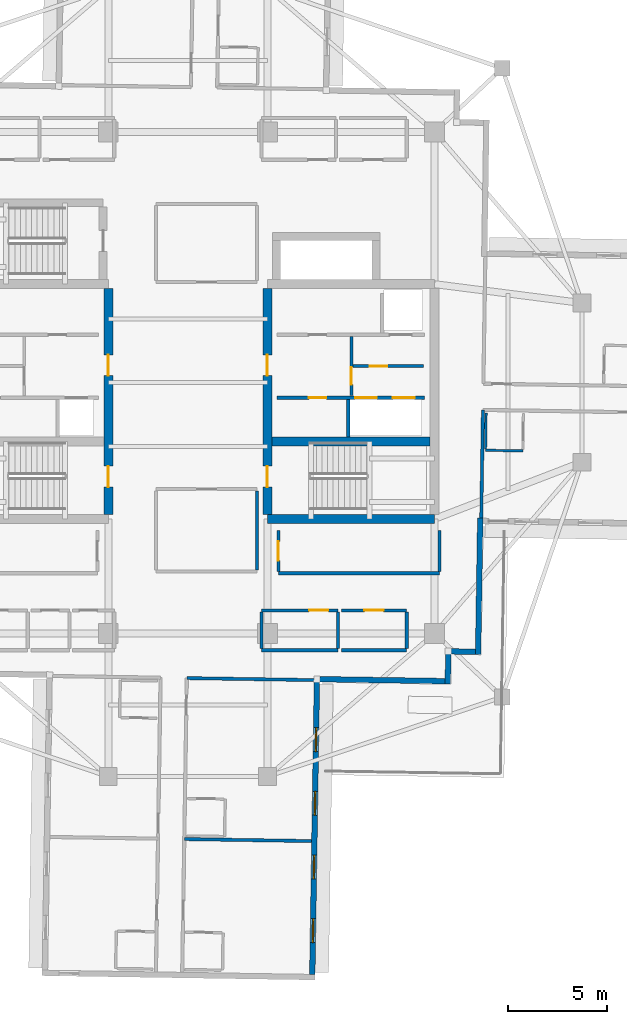
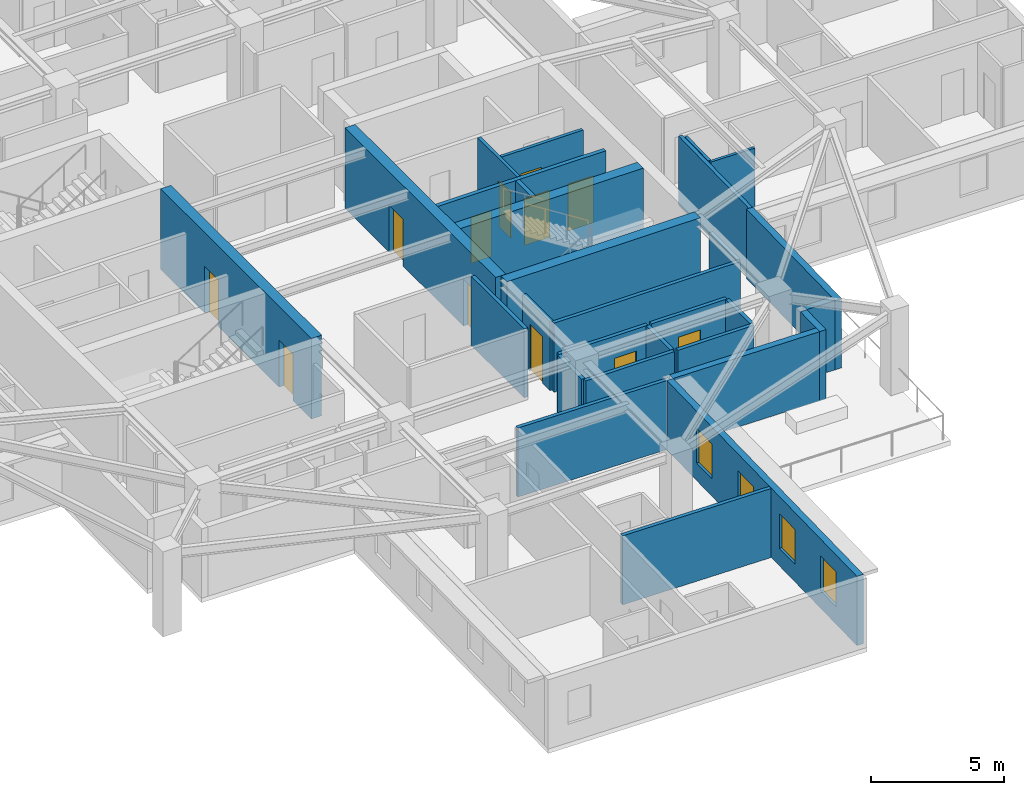
# One storey, part 5 of 13: 29 walls, 12 doors, 4 windows, 16 openings.
"""IFC4 building model written with IfcOpenShell, lengths in metres."""

import ifcopenshell
import ifcopenshell.guid

model = None  # the IFC model being written
_history = None  # IfcOwnerHistory: only IFC2X3 demands one
_inside = {}  # id of a spatial element -> (the spatial element, [elements in it])
_under = {}  # id of a project, library or spatial element -> (it, [spatial elements below it])
_declared = {}  # id of a project -> (the project, [libraries it declares])
_typed = {}  # id of a type object -> (the type object, [elements of that type])
_made_of = {}  # id of a material, layer set ... -> (it, [elements and type objects made of it])


def new_model(schema):
    """Start an empty IFC model of exactly this schema.

    Asked for "IFC4X3", IfcOpenShell would pick the latest addendum, in which some entities
    have other attributes; the version numbers below select the first issue.
    IFC2X3 requires an IfcOwnerHistory on every rooted entity: one is made here for all.
    """
    global model, _history
    if schema == "IFC4X3":
        model = ifcopenshell.file(schema_version=(4, 3, 0, 0))
    else:
        model = ifcopenshell.file(schema=schema)
    _inside.clear()
    _under.clear()
    _declared.clear()
    _typed.clear()
    _made_of.clear()
    _history = None
    if model.schema == "IFC2X3":
        org = make("IfcOrganization", Name="unknown")
        user = make(
            "IfcPersonAndOrganization",
            ThePerson=make("IfcPerson", FamilyName="unknown"),
            TheOrganization=org,
        )
        app = make(
            "IfcApplication",
            ApplicationDeveloper=org,
            Version="unknown",
            ApplicationFullName="unknown",
            ApplicationIdentifier="unknown",
        )
        _history = make(
            "IfcOwnerHistory",
            OwningUser=user,
            OwningApplication=app,
            ChangeAction="ADDED",
            CreationDate=0,
        )
    return model


def make(cls, **values):
    """One entity of the class cls with the attributes given. An attribute that is None is left unset."""
    return model.create_entity(
        cls, **{name: value for name, value in values.items() if value is not None}
    )


def rooted(cls, **values):
    """An entity with a GlobalId (a new one), such as an element, a storey or a relation."""
    return make(cls, GlobalId=ifcopenshell.guid.new(), OwnerHistory=_history, **values)


def si_unit(unit_type, name, prefix=None):
    """IfcSIUnit, for example si_unit("LENGTHUNIT", "METRE", prefix="MILLI")."""
    return make("IfcSIUnit", UnitType=unit_type, Prefix=prefix, Name=name)


def assignment(units):
    """IfcUnitAssignment: the units of a project."""
    return None if units is None else make("IfcUnitAssignment", Units=units)


def point(xyz):
    """IfcCartesianPoint."""
    return None if xyz is None else make("IfcCartesianPoint", Coordinates=xyz)


def direction(xyz):
    """IfcDirection."""
    return None if xyz is None else make("IfcDirection", DirectionRatios=xyz)


def frame(location, z_axis=None, x_axis=None):
    """IfcAxis2Placement3D, a coordinate frame: its origin and axes. An axis left out is left unset."""
    return make(
        "IfcAxis2Placement3D",
        Location=point(location),
        Axis=direction(z_axis),
        RefDirection=direction(x_axis),
    )


def frame_2d(location, x_axis=None):
    """IfcAxis2Placement2D, a coordinate frame in the plane: its origin and x axis."""
    return make(
        "IfcAxis2Placement2D", Location=point(location), RefDirection=direction(x_axis)
    )


def origin():
    """The frame at (0, 0, 0) with its axes left unset."""
    return frame((0.0, 0.0, 0.0))


def place(relative_to, where):
    """IfcLocalPlacement: puts the frame where relative to a parent placement (None: the world)."""
    return make(
        "IfcLocalPlacement", PlacementRelTo=relative_to, RelativePlacement=where
    )


def context(
    kind, dimensions, precision=None, world=None, true_north=None, identifier=None
):
    """IfcGeometricRepresentationContext, for example the 3D "Model" context."""
    return make(
        "IfcGeometricRepresentationContext",
        ContextIdentifier=identifier,
        ContextType=kind,
        CoordinateSpaceDimension=dimensions,
        Precision=precision,
        WorldCoordinateSystem=world,
        TrueNorth=true_north,
    )


def subcontext(parent, identifier, kind, view, scale=None):
    """IfcGeometricRepresentationSubContext, for example "Body" below "Model"."""
    return make(
        "IfcGeometricRepresentationSubContext",
        ContextIdentifier=identifier,
        ContextType=kind,
        ParentContext=parent,
        TargetScale=scale,
        TargetView=view,
    )


def project(units=None, contexts=None):
    """IfcProject with its units and contexts."""
    return rooted(
        "IfcProject",
        Name="project",
        RepresentationContexts=contexts,
        UnitsInContext=assignment(units),
    )


def spatial(cls, under=None, at=None, **own):
    """A site, building, storey or space (cls), placed at a placement, below another one or the project."""
    s = rooted(cls, ObjectPlacement=at, **own)
    if under is not None:
        _under.setdefault(under.id(), (under, []))[1].append(s)
    return s


def profile(cls, at=None, kind="AREA", **sizes):
    """A parametric profile (cls). Its sizes go by their IFC names, for example OverallWidth=200.0."""
    return make(cls, ProfileType=kind, Position=at, **sizes)


def rectangle(**sizes):
    """IfcRectangleProfileDef."""
    return profile("IfcRectangleProfileDef", **sizes)


def extrude(swept, where, along, depth):
    """IfcExtrudedAreaSolid: the profile swept, set in the frame where, extruded along a direction by depth."""
    return make(
        "IfcExtrudedAreaSolid",
        SweptArea=swept,
        Position=where,
        ExtrudedDirection=direction(along),
        Depth=depth,
    )


def shape(context_of_items, identifier, shape_type, items):
    """IfcShapeRepresentation: the items that make up one representation, for example the "Body"."""
    return make(
        "IfcShapeRepresentation",
        ContextOfItems=context_of_items,
        RepresentationIdentifier=identifier,
        RepresentationType=shape_type,
        Items=items,
    )


def material(Name=None, Category=None):
    """IfcMaterial."""
    return make("IfcMaterial", Name=Name, Category=Category)


def layer(
    of_material, thickness, ventilated=None, Name=None, Category=None, Priority=None
):
    """IfcMaterialLayer: one layer of a wall or slab, of a material (None: an air gap)."""
    return make(
        "IfcMaterialLayer",
        Material=of_material,
        LayerThickness=thickness,
        IsVentilated=ventilated,
        Name=Name,
        Category=Category,
        Priority=Priority,
    )


def layer_set(layers, Name=None):
    """IfcMaterialLayerSet."""
    return make("IfcMaterialLayerSet", MaterialLayers=layers, LayerSetName=Name)


def made_of(thing, what):
    """Note that an element or type object is made of a material, layer set ...; save() writes the relation."""
    if what is not None:
        _made_of.setdefault(what.id(), (what, []))[1].append(thing)
    return thing


def type_object(cls, material=None, **own):
    """A type object (cls), such as IfcWallType, which elements share."""
    return made_of(rooted(cls, **own), material)


def element(
    cls,
    number,
    at=None,
    inside=None,
    cuts=None,
    type_object=None,
    material=None,
    context=None,
    identifier="Body",
    shape_type=None,
    held_by="IfcProductDefinitionShape",
    body=None,
    shapes=None,
    **own,
):
    """One element of the class cls, such as IfcWall. Its Tag is "e" and its number.

    at: its placement. inside: the storey or other place that contains it. cuts: it is an
    opening in that element (IfcRelVoidsElement). A single representation is given by context,
    identifier, shape_type and body (its items); several are given by shapes. held_by: the class
    of the entity that holds the representations. save() writes the other relations.
    """
    e = rooted(cls, Tag="e%d" % number, ObjectPlacement=at, **own)
    if body is not None:
        shapes = [shape(context, identifier, shape_type, body)]
    if shapes is not None:
        e.Representation = make(held_by, Representations=shapes)
    if inside is not None:
        _inside.setdefault(inside.id(), (inside, []))[1].append(e)
    if cuts is not None:
        rooted(
            "IfcRelVoidsElement", RelatingBuildingElement=cuts, RelatedOpeningElement=e
        )
    if type_object is not None:
        _typed.setdefault(type_object.id(), (type_object, []))[1].append(e)
    return made_of(e, material)


def fill(opening, filler):
    """IfcRelFillsElement: the door or window that sits in an opening."""
    return rooted(
        "IfcRelFillsElement",
        RelatingOpeningElement=opening,
        RelatedBuildingElement=filler,
    )


def aggregate(whole, parts):
    """IfcRelAggregates: a whole, such as a stair, and the parts it consists of."""
    return rooted("IfcRelAggregates", RelatingObject=whole, RelatedObjects=parts)


def save(model, path):
    """Write the relations noted so far, then the file.

    IfcRelAggregates (storeys below a building ...), IfcRelContainedInSpatialStructure (elements
    in a storey), IfcRelDefinesByType, IfcRelAssociatesMaterial and IfcRelDeclares: one each for
    every whole, place, type object, material and project.
    """
    for whole, parts in _under.values():
        aggregate(whole, parts)
    for where, things in _inside.values():
        rooted(
            "IfcRelContainedInSpatialStructure",
            RelatedElements=things,
            RelatingStructure=where,
        )
    for kind, things in _typed.values():
        rooted("IfcRelDefinesByType", RelatedObjects=things, RelatingType=kind)
    for what, things in _made_of.values():
        rooted("IfcRelAssociatesMaterial", RelatedObjects=things, RelatingMaterial=what)
    for by, libraries in _declared.values():
        rooted("IfcRelDeclares", RelatingContext=by, RelatedDefinitions=libraries)
    model.write(path)


model = new_model("IFC4")

# Units and contexts
model_context = context("Model", 3, precision=1e-05, world=origin(), true_north=direction((0.0, 1.0)))
body_context = subcontext(model_context, "Body", "Model", "MODEL_VIEW")
ifc_project = project(units=[si_unit("LENGTHUNIT", "METRE"), si_unit("AREAUNIT", "SQUARE_METRE"), si_unit("VOLUMEUNIT", "CUBIC_METRE"), si_unit("PLANEANGLEUNIT", "RADIAN"), si_unit("MASSUNIT", "GRAM", prefix="KILO")], contexts=[model_context])

# Site, building, storey
site_placement = place(None, origin())
site = spatial("IfcSite", under=ifc_project, at=site_placement, CompositionType="ELEMENT")
building_placement = place(site_placement, origin())
building = spatial("IfcBuilding", under=site, at=building_placement, Name="Qingluan Cross Belvedere", CompositionType="ELEMENT")
storey_placement = place(building_placement, frame((0.0, 0.0, 228.60009765625)))
storey = spatial("IfcBuildingStorey", under=building, at=storey_placement, Name="L57", CompositionType="ELEMENT", Elevation=228.60009765625)

# Wall, openings, doors
ifc_material_1 = material(Name="Concrete C50", Category="concrete")
ifc_layer_1 = layer(ifc_material_1, 0.449951171875, Name="CoreShearWall_450")
ifc_layer_set_1 = layer_set([ifc_layer_1], Name="Concrete C50")
wall_type_1 = type_object("IfcWallType", Name="CoreShearWall_450", PredefinedType="SHEAR", material=ifc_layer_set_1)
wall_1_placement = place(storey_placement, frame((-4.0, -6.6201171875, 0.0), z_axis=(0.0, 0.0, 1.0), x_axis=(0.0, 1.0, 0.0)))
wall_1 = element("IfcWall", 1, at=wall_1_placement, inside=storey, type_object=wall_type_1, Name="Split core W shear wall L57-E", PredefinedType="SHEAR", context=body_context, shape_type="SweptSolid", body=[
    extrude(rectangle(XDim=11.340087890625, YDim=0.449951171875, at=frame_2d((5.669921875, 0.0))), origin(), (0.0, 0.0, 1.0), 3.699951171875),
])
opening_1_placement = place(wall_1_placement, frame((1.3701171875, 0.0, 0.0)))
opening_1 = element("IfcOpeningElement", 2, at=opening_1_placement, cuts=wall_1, Name="Opening FD-B11", PredefinedType="OPENING", context=body_context, shape_type="SweptSolid", body=[
    extrude(rectangle(XDim=1.050048828125, YDim=2.14990234375, at=frame_2d((0.52490234375, 1.074951171875))), frame((0.0, 0.23486328125, 0.0), z_axis=(0.0, -1.0, 0.0), x_axis=(1.0, 0.0, 0.0)), (0.0, 0.0, 1.0), 0.469970703125),
])
opening_2_placement = place(wall_1_placement, frame((6.969970703125, 0.0, 0.0)))
opening_2 = element("IfcOpeningElement", 3, at=opening_2_placement, cuts=wall_1, Name="Opening FD-B11", PredefinedType="OPENING", context=body_context, shape_type="SweptSolid", body=[
    extrude(rectangle(XDim=1.050048828125, YDim=2.14990234375, at=frame_2d((0.52490234375, 1.074951171875))), frame((0.0, 0.23486328125, 0.0), z_axis=(0.0, -1.0, 0.0), x_axis=(1.0, 0.0, 0.0)), (0.0, 0.0, 1.0), 0.469970703125),
])
ifc_material_2 = material(Name="Steel Class B smoke-seal fire door", Category="steel")
door_type_1 = type_object("IfcDoorType", Name="StairLobbyFireDoor_FDB", OperationType="NOTDEFINED", PredefinedType="DOOR", material=ifc_material_2)
door_1_placement = place(opening_1_placement, origin())
door_1 = element("IfcDoor", 4, at=door_1_placement, inside=storey, type_object=door_type_1, Name="Smoke-proof stair ST1 fire door L57", OperationType="SINGLE_SWING_LEFT", OverallHeight=2.14990234375, OverallWidth=1.050048828125, PredefinedType="DOOR", context=body_context, shape_type="SweptSolid", body=[
    extrude(rectangle(XDim=1.050048828125, YDim=2.14990234375, at=frame_2d((0.52490234375, 1.074951171875))), frame((0.0, 0.02490234375, 0.0), z_axis=(0.0, -1.0, 0.0), x_axis=(1.0, 0.0, 0.0)), (0.0, 0.0, 1.0), 0.050048828125),
])
fill(opening_1, door_1)
door_2_placement = place(opening_2_placement, origin())
door_2 = element("IfcDoor", 5, at=door_2_placement, inside=storey, type_object=door_type_1, Name="Firefighting lobby West fire door L57", OperationType="SINGLE_SWING_LEFT", OverallHeight=2.14990234375, OverallWidth=1.050048828125, PredefinedType="DOOR", context=body_context, shape_type="SweptSolid", body=[
    extrude(rectangle(XDim=1.050048828125, YDim=2.14990234375, at=frame_2d((0.52490234375, 1.074951171875))), frame((0.0, 0.02490234375, 0.0), z_axis=(0.0, -1.0, 0.0), x_axis=(1.0, 0.0, 0.0)), (0.0, 0.0, 1.0), 0.050048828125),
])
fill(opening_2, door_2)

# Wall
wall_2_placement = place(storey_placement, frame((4.0, -6.85009765625, 0.0), z_axis=(0.0, 0.0, 1.0), x_axis=(1.0, 0.0, 0.0)))
element("IfcWall", 6, at=wall_2_placement, inside=storey, type_object=wall_type_1, Name="Split core E shear wall L57-S", PredefinedType="SHEAR", context=body_context, shape_type="SweptSolid", body=[
    extrude(rectangle(XDim=8.39990234375, YDim=0.449951171875, at=frame_2d((4.199951171875, 0.0))), origin(), (0.0, 0.0, 1.0), 3.699951171875),
])

# Wall, openings, doors
wall_3_placement = place(storey_placement, frame((4.0, -6.6201171875, 0.0), z_axis=(0.0, 0.0, 1.0), x_axis=(0.0, 1.0, 0.0)))
wall_3 = element("IfcWall", 7, at=wall_3_placement, inside=storey, type_object=wall_type_1, Name="Split core E shear wall L57-W", PredefinedType="SHEAR", context=body_context, shape_type="SweptSolid", body=[
    extrude(rectangle(XDim=11.340087890625, YDim=0.449951171875, at=frame_2d((5.669921875, 0.0))), origin(), (0.0, 0.0, 1.0), 3.699951171875),
])
opening_3_placement = place(wall_3_placement, frame((1.3701171875, 0.0, 0.0)))
opening_3 = element("IfcOpeningElement", 8, at=opening_3_placement, cuts=wall_3, Name="Opening FD-B11", PredefinedType="OPENING", context=body_context, shape_type="SweptSolid", body=[
    extrude(rectangle(XDim=1.050048828125, YDim=2.14990234375, at=frame_2d((0.52490234375, 1.074951171875))), frame((0.0, 0.23486328125, 0.0), z_axis=(0.0, -1.0, 0.0), x_axis=(1.0, 0.0, 0.0)), (0.0, 0.0, 1.0), 0.469970703125),
])
opening_4_placement = place(wall_3_placement, frame((6.969970703125, 0.0, 0.0)))
opening_4 = element("IfcOpeningElement", 9, at=opening_4_placement, cuts=wall_3, Name="Opening FD-B11", PredefinedType="OPENING", context=body_context, shape_type="SweptSolid", body=[
    extrude(rectangle(XDim=1.050048828125, YDim=2.14990234375, at=frame_2d((0.52490234375, 1.074951171875))), frame((0.0, 0.23486328125, 0.0), z_axis=(0.0, -1.0, 0.0), x_axis=(1.0, 0.0, 0.0)), (0.0, 0.0, 1.0), 0.469970703125),
])
door_3_placement = place(opening_3_placement, origin())
door_3 = element("IfcDoor", 10, at=door_3_placement, inside=storey, type_object=door_type_1, Name="Smoke-proof stair ST2 fire door L57", OperationType="SINGLE_SWING_RIGHT", OverallHeight=2.14990234375, OverallWidth=1.050048828125, PredefinedType="DOOR", context=body_context, shape_type="SweptSolid", body=[
    extrude(rectangle(XDim=1.050048828125, YDim=2.14990234375, at=frame_2d((0.52490234375, 1.074951171875))), frame((0.0, 0.02490234375, 0.0), z_axis=(0.0, -1.0, 0.0), x_axis=(1.0, 0.0, 0.0)), (0.0, 0.0, 1.0), 0.050048828125),
])
fill(opening_3, door_3)
door_4_placement = place(opening_4_placement, origin())
door_4 = element("IfcDoor", 11, at=door_4_placement, inside=storey, type_object=door_type_1, Name="Firefighting lobby East fire door L57", OperationType="SINGLE_SWING_RIGHT", OverallHeight=2.14990234375, OverallWidth=1.050048828125, PredefinedType="DOOR", context=body_context, shape_type="SweptSolid", body=[
    extrude(rectangle(XDim=1.050048828125, YDim=2.14990234375, at=frame_2d((0.52490234375, 1.074951171875))), frame((0.0, 0.02490234375, 0.0), z_axis=(0.0, -1.0, 0.0), x_axis=(1.0, 0.0, 0.0)), (0.0, 0.0, 1.0), 0.050048828125),
])
fill(opening_4, door_4)

# Wall
wall_4_placement = place(storey_placement, frame((4.22998046875, -2.9599609375, 0.0), z_axis=(0.0, 0.0, 1.0), x_axis=(1.0, 0.0, 0.0)))
element("IfcWall", 12, at=wall_4_placement, inside=storey, type_object=wall_type_1, Name="Split core E shear wall L57-M", PredefinedType="SHEAR", context=body_context, shape_type="SweptSolid", body=[
    extrude(rectangle(XDim=7.93994140625, YDim=0.449951171875, at=frame_2d((3.969970703125, 0.0))), origin(), (0.0, 0.0, 1.0), 3.699951171875),
])

# Wall, opening, door
ifc_material_3 = material(Name="Gypsum plasterboard on steel stud acoustic partition", Category="steel")
ifc_layer_2 = layer(ifc_material_3, 0.159912109375, Name="CorridorPartition_160")
ifc_layer_set_2 = layer_set([ifc_layer_2], Name="Gypsum plasterboard on steel stud acoustic partition")
wall_type_2 = type_object("IfcWallType", Name="CorridorPartition_160", PredefinedType="PARTITIONING", material=ifc_layer_set_2)
wall_5_placement = place(storey_placement, frame((8.298095703125, 0.830078125, 0.0), z_axis=(0.0, 0.0, 1.0), x_axis=(1.0, 0.0, 0.0)))
wall_5 = element("IfcWall", 13, at=wall_5_placement, inside=storey, type_object=wall_type_2, Name="Partition L57:e", PredefinedType="PARTITIONING", context=body_context, shape_type="SweptSolid", body=[
    extrude(rectangle(XDim=3.552001953125, YDim=0.139892578125, at=frame_2d((1.77587890625, 0.0))), origin(), (0.0, 0.0, 1.0), 3.169921875),
])
opening_5_placement = place(wall_5_placement, frame((0.85009765625, 0.0, 0.0)))
opening_5 = element("IfcOpeningElement", 14, at=opening_5_placement, cuts=wall_5, Name="Opening FD-B10", PredefinedType="OPENING", context=body_context, shape_type="SweptSolid", body=[
    extrude(rectangle(XDim=0.8798828125, YDim=2.10009765625, at=frame_2d((0.43994140625, 1.050048828125))), frame((0.0, 0.079833984375, 0.0), z_axis=(0.0, -1.0, 0.0), x_axis=(1.0, 0.0, 0.0)), (0.0, 0.0, 1.0), 0.159912109375),
])
ifc_material_4 = material(Name="Steel Class B service fire door", Category="steel")
door_type_2 = type_object("IfcDoorType", Name="RiserServiceFireDoor_FDB", OperationType="NOTDEFINED", PredefinedType="DOOR", material=ifc_material_4)
door_5_placement = place(opening_5_placement, origin())
door_5 = element("IfcDoor", 15, at=door_5_placement, inside=storey, type_object=door_type_2, Name="Service closet inner door L57", OperationType="SINGLE_SWING_LEFT", OverallHeight=2.10009765625, OverallWidth=0.8798828125, PredefinedType="DOOR", context=body_context, shape_type="SweptSolid", body=[
    extrude(rectangle(XDim=0.8798828125, YDim=2.10009765625, at=frame_2d((0.43994140625, 1.050048828125))), frame((0.0, 0.02490234375, 0.0), z_axis=(0.0, -1.0, 0.0), x_axis=(1.0, 0.0, 0.0)), (0.0, 0.0, 1.0), 0.050048828125),
])
fill(opening_5, door_5)

# Wall
wall_6_placement = place(storey_placement, frame((3.699951171875, -13.449951171875, 0.0), z_axis=(0.0, 0.0, 1.0), x_axis=(1.0, 0.0, 0.0)))
element("IfcWall", 16, at=wall_6_placement, inside=storey, type_object=wall_type_2, Name="Partition L57:q_se1:S", PredefinedType="PARTITIONING", context=body_context, shape_type="SweptSolid", body=[
    extrude(rectangle(XDim=3.85009765625, YDim=0.159912109375, at=frame_2d((1.925048828125, 0.0))), origin(), (0.0, 0.0, 1.0), 3.169921875),
])

# Wall, opening, door
wall_7_placement = place(storey_placement, frame((3.699951171875, -11.449951171875, 0.0), z_axis=(0.0, 0.0, 1.0), x_axis=(1.0, 0.0, 0.0)))
wall_7 = element("IfcWall", 17, at=wall_7_placement, inside=storey, type_object=wall_type_2, Name="Partition L57:q_se1:N", PredefinedType="PARTITIONING", context=body_context, shape_type="SweptSolid", body=[
    extrude(rectangle(XDim=3.85009765625, YDim=0.159912109375, at=frame_2d((1.925048828125, 0.0))), origin(), (0.0, 0.0, 1.0), 3.169921875),
])
opening_6_placement = place(wall_7_placement, frame((2.39501953125, 0.0, 0.0)))
opening_6 = element("IfcOpeningElement", 18, at=opening_6_placement, cuts=wall_7, Name="Opening GD-10", PredefinedType="OPENING", context=body_context, shape_type="SweptSolid", body=[
    extrude(rectangle(XDim=0.9599609375, YDim=2.14990234375, at=frame_2d((0.47998046875, 1.074951171875))), frame((0.0, 0.08984375, 0.0), z_axis=(0.0, -1.0, 0.0), x_axis=(1.0, 0.0, 0.0)), (0.0, 0.0, 1.0), 0.179931640625),
])
ifc_material_5 = material(Name="Timber oak fire-rated acoustic guestroom door", Category="wood")
door_type_3 = type_object("IfcDoorType", Name="GuestEntryDoor_FD60", OperationType="NOTDEFINED", PredefinedType="DOOR", material=ifc_material_5)
door_6_placement = place(opening_6_placement, origin())
door_6 = element("IfcDoor", 19, at=door_6_placement, inside=storey, type_object=door_type_3, Name="Botanical infusion pantry L57 door", OperationType="SINGLE_SWING_RIGHT", OverallHeight=2.14990234375, OverallWidth=0.9599609375, PredefinedType="DOOR", context=body_context, shape_type="SweptSolid", body=[
    extrude(rectangle(XDim=0.9599609375, YDim=2.14990234375, at=frame_2d((0.47998046875, 1.074951171875))), frame((0.0, 0.02490234375, 0.0), z_axis=(0.0, -1.0, 0.0), x_axis=(1.0, 0.0, 0.0)), (0.0, 0.0, 1.0), 0.050048828125),
])
fill(opening_6, door_6)

# Walls
for number, where, z_axis, x_axis, name in (
    (20, (3.699951171875, -13.364990234375, 0.0), (0.0, 0.0, 1.0), (0.0, 1.0, 0.0), "Partition L57:q_se1:W"),
    (21, (7.550048828125, -13.364990234375, 0.0), (0.0, 0.0, 1.0), (0.0, 1.0, 0.0), "Partition L57:q_se1:E"),
):
    element("IfcWall", number, at=place(storey_placement, frame(where, z_axis=z_axis, x_axis=x_axis)), inside=storey, type_object=wall_type_2, Name=name, PredefinedType="PARTITIONING", context=body_context, shape_type="SweptSolid", body=[
        extrude(rectangle(XDim=1.830078125, YDim=0.159912109375, at=frame_2d((0.9150390625, 0.0))), origin(), (0.0, 0.0, 1.0), 3.169921875),
    ])
wall_8_placement = place(storey_placement, frame((7.7099609375, -13.449951171875, 0.0), z_axis=(0.0, 0.0, 1.0), x_axis=(1.0, 0.0, 0.0)))
element("IfcWall", 22, at=wall_8_placement, inside=storey, type_object=wall_type_2, Name="Partition L57:q_se2:S", PredefinedType="PARTITIONING", context=body_context, shape_type="SweptSolid", body=[
    extrude(rectangle(XDim=3.2900390625, YDim=0.159912109375, at=frame_2d((1.64501953125, 0.0))), origin(), (0.0, 0.0, 1.0), 3.169921875),
])

# Wall, opening, door
wall_9_placement = place(storey_placement, frame((7.7099609375, -11.449951171875, 0.0), z_axis=(0.0, 0.0, 1.0), x_axis=(1.0, 0.0, 0.0)))
wall_9 = element("IfcWall", 23, at=wall_9_placement, inside=storey, type_object=wall_type_2, Name="Partition L57:q_se2:N", PredefinedType="PARTITIONING", context=body_context, shape_type="SweptSolid", body=[
    extrude(rectangle(XDim=3.2900390625, YDim=0.159912109375, at=frame_2d((1.64501953125, 0.0))), origin(), (0.0, 0.0, 1.0), 3.169921875),
])
opening_7_placement = place(wall_9_placement, frame((1.1650390625, 0.0, 0.0)))
opening_7 = element("IfcOpeningElement", 24, at=opening_7_placement, cuts=wall_9, Name="Opening GD-10", PredefinedType="OPENING", context=body_context, shape_type="SweptSolid", body=[
    extrude(rectangle(XDim=0.9599609375, YDim=2.14990234375, at=frame_2d((0.47998046875, 1.074951171875))), frame((0.0, 0.08984375, 0.0), z_axis=(0.0, -1.0, 0.0), x_axis=(1.0, 0.0, 0.0)), (0.0, 0.0, 1.0), 0.179931640625),
])
door_7_placement = place(opening_7_placement, origin())
door_7 = element("IfcDoor", 25, at=door_7_placement, inside=storey, type_object=door_type_3, Name="Southeast study room L57 door", OperationType="SINGLE_SWING_LEFT", OverallHeight=2.14990234375, OverallWidth=0.9599609375, PredefinedType="DOOR", context=body_context, shape_type="SweptSolid", body=[
    extrude(rectangle(XDim=0.9599609375, YDim=2.14990234375, at=frame_2d((0.47998046875, 1.074951171875))), frame((0.0, 0.02490234375, 0.0), z_axis=(0.0, -1.0, 0.0), x_axis=(1.0, 0.0, 0.0)), (0.0, 0.0, 1.0), 0.050048828125),
])
fill(opening_7, door_7)

# Walls
wall_10_placement = place(storey_placement, frame((11.0, -13.364990234375, 0.0), z_axis=(0.0, 0.0, 1.0), x_axis=(0.0, 1.0, 0.0)))
element("IfcWall", 26, at=wall_10_placement, inside=storey, type_object=wall_type_2, Name="Partition L57:q_se2:E", PredefinedType="PARTITIONING", context=body_context, shape_type="SweptSolid", body=[
    extrude(rectangle(XDim=1.830078125, YDim=0.159912109375, at=frame_2d((0.9150390625, 0.0))), origin(), (0.0, 0.0, 1.0), 3.169921875),
])
wall_11_placement = place(storey_placement, frame((3.47998046875, -9.4150390625, 0.0), z_axis=(0.0, 0.0, 1.0), x_axis=(0.0, 1.0, 0.0)))
element("IfcWall", 27, at=wall_11_placement, inside=storey, type_object=wall_type_2, Name="Partition L57:sky_south_alcove:E", PredefinedType="PARTITIONING", context=body_context, shape_type="SweptSolid", body=[
    extrude(rectangle(XDim=3.97998046875, YDim=0.159912109375, at=frame_2d((1.989990234375, 0.0))), origin(), (0.0, 0.0, 1.0), 3.169921875),
])
wall_12_placement = place(storey_placement, frame((4.550048828125, -9.580078125, 0.0), z_axis=(0.0, 0.0, 1.0), x_axis=(1.0, 0.0, 0.0)))
element("IfcWall", 28, at=wall_12_placement, inside=storey, type_object=wall_type_2, Name="Partition L57:rec_st4:S", PredefinedType="PARTITIONING", context=body_context, shape_type="SweptSolid", body=[
    extrude(rectangle(XDim=8.099853515625, YDim=0.159912109375, at=frame_2d((4.0498046875, 0.0))), origin(), (0.0, 0.0, 1.0), 3.169921875),
])

# Wall, opening, door
wall_13_placement = place(storey_placement, frame((4.550048828125, -9.4951171875, 0.0), z_axis=(0.0, 0.0, 1.0), x_axis=(0.0, 1.0, 0.0)))
wall_13 = element("IfcWall", 29, at=wall_13_placement, inside=storey, type_object=wall_type_2, Name="Partition L57:rec_st4:W", PredefinedType="PARTITIONING", context=body_context, shape_type="SweptSolid", body=[
    extrude(rectangle(XDim=2.06005859375, YDim=0.159912109375, at=frame_2d((1.030029296875, 0.0))), origin(), (0.0, 0.0, 1.0), 3.169921875),
])
opening_8_placement = place(wall_13_placement, frame((0.550048828125, 0.0, 0.0)))
opening_8 = element("IfcOpeningElement", 30, at=opening_8_placement, cuts=wall_13, Name="Opening GD-10", PredefinedType="OPENING", context=body_context, shape_type="SweptSolid", body=[
    extrude(rectangle(XDim=0.9599609375, YDim=2.14990234375, at=frame_2d((0.47998046875, 1.074951171875))), frame((0.0, 0.08984375, 0.0), z_axis=(0.0, -1.0, 0.0), x_axis=(1.0, 0.0, 0.0)), (0.0, 0.0, 1.0), 0.179931640625),
])
door_8_placement = place(opening_8_placement, origin())
door_8 = element("IfcDoor", 31, at=door_8_placement, inside=storey, type_object=door_type_3, Name="Southeast club library room L57 door", OperationType="SINGLE_SWING_LEFT", OverallHeight=2.14990234375, OverallWidth=0.9599609375, PredefinedType="DOOR", context=body_context, shape_type="SweptSolid", body=[
    extrude(rectangle(XDim=0.9599609375, YDim=2.14990234375, at=frame_2d((0.47998046875, 1.074951171875))), frame((0.0, 0.02490234375, 0.0), z_axis=(0.0, -1.0, 0.0), x_axis=(1.0, 0.0, 0.0)), (0.0, 0.0, 1.0), 0.050048828125),
])
fill(opening_8, door_8)

# Walls
wall_14_placement = place(storey_placement, frame((12.64990234375, -9.4951171875, 0.0), z_axis=(0.0, 0.0, 1.0), x_axis=(0.0, 1.0, 0.0)))
element("IfcWall", 32, at=wall_14_placement, inside=storey, type_object=wall_type_2, Name="Partition L57:rec_st4:E", PredefinedType="PARTITIONING", context=body_context, shape_type="SweptSolid", body=[
    extrude(rectangle(XDim=2.06005859375, YDim=0.159912109375, at=frame_2d((1.030029296875, 0.0))), origin(), (0.0, 0.0, 1.0), 3.169921875),
])
wall_15_placement = place(storey_placement, frame((14.830322265625, -1.373046875, 0.0), z_axis=(0.0, 0.0, 1.0), x_axis=(-0.015730511698, -0.999876267846, 0.0)))
element("IfcWall", 33, at=wall_15_placement, inside=storey, type_object=wall_type_2, Name="Partition L57:E:s1", PredefinedType="PARTITIONING", context=body_context, shape_type="SweptSolid", body=[
    extrude(rectangle(XDim=5.43212890625, YDim=0.159912109375, at=frame_2d((2.716064453125, 0.0))), origin(), (0.0, 0.0, 1.0), 3.169921875),
])
wall_16_placement = place(storey_placement, frame((-0.05322265625, -14.85107421875, 0.0), z_axis=(0.0, 0.0, 1.0), x_axis=(0.999877075733, -0.015679076008, 0.0)))
element("IfcWall", 34, at=wall_16_placement, inside=storey, type_object=wall_type_2, Name="Partition L57:S:s0", PredefinedType="PARTITIONING", context=body_context, shape_type="SweptSolid", body=[
    extrude(rectangle(XDim=6.539794921875, YDim=0.159912109375, at=frame_2d((3.27001953125, 0.0))), origin(), (0.0, 0.0, 1.0), 3.169921875),
])
wall_17_placement = place(storey_placement, frame((-0.180419921875, -22.94189453125, 0.0), z_axis=(0.0, 0.0, 1.0), x_axis=(0.999876174287, -0.015736457476, 0.0)))
element("IfcWall", 35, at=wall_17_placement, inside=storey, type_object=wall_type_2, Name="Partition L57:S:d0_0", PredefinedType="PARTITIONING", context=body_context, shape_type="SweptSolid", body=[
    extrude(rectangle(XDim=6.391845703125, YDim=0.159912109375, at=frame_2d((3.19580078125, 0.0))), origin(), (0.0, 0.0, 1.0), 3.169921875),
])
ifc_material_6 = material(Name="Moisture-resistant gypsum board lining")
ifc_layer_3 = layer(ifc_material_6, 0.1201171875, Name="EnsuiteWetPartition_120")
ifc_layer_set_3 = layer_set([ifc_layer_3], Name="Moisture-resistant gypsum board lining")
wall_type_3 = type_object("IfcWallType", Name="EnsuiteWetPartition_120", PredefinedType="PARTITIONING", material=ifc_layer_set_3)
wall_18_placement = place(storey_placement, frame((14.95947265625, -3.33544921875, 0.0), z_axis=(0.0, 0.0, 1.0), x_axis=(0.015694337248, 0.999876836305, 0.0)))
element("IfcWall", 36, at=wall_18_placement, inside=storey, type_object=wall_type_3, Name="Partition L57:E:bw1_0", PredefinedType="PARTITIONING", context=body_context, shape_type="SweptSolid", body=[
    extrude(rectangle(XDim=1.820068359375, YDim=0.1201171875, at=frame_2d((0.91015625, 0.0))), origin(), (0.0, 0.0, 1.0), 3.169921875),
])
wall_19_placement = place(storey_placement, frame((14.95849609375, -3.400390625, 0.0), z_axis=(0.0, 0.0, 1.0), x_axis=(0.99987652141, -0.015714386166, 0.0)))
element("IfcWall", 37, at=wall_19_placement, inside=storey, type_object=wall_type_3, Name="Partition L57:E:bc1_0", PredefinedType="PARTITIONING", context=body_context, shape_type="SweptSolid", body=[
    extrude(rectangle(XDim=1.8798828125, YDim=0.1201171875, at=frame_2d((0.93994140625, 0.0))), origin(), (0.0, 0.0, 1.0), 3.169921875),
])

# Wall, openings, windows
ifc_material_7 = material(Name="Precast concrete C45", Category="concrete")
ifc_layer_4 = layer(ifc_material_7, 0.280029296875, Name="PrecastFacadeWall_280")
ifc_layer_set_4 = layer_set([ifc_layer_4], Name="Precast concrete C45")
wall_type_4 = type_object("IfcWallType", Name="PrecastFacadeWall_280", PredefinedType="STANDARD", material=ifc_layer_set_4)
wall_20_placement = place(storey_placement, frame((6.253662109375, -29.741943359375, 0.0), z_axis=(0.0, 0.0, 1.0), x_axis=(0.015711302158, 0.999876569875, 0.0)))
wall_20 = element("IfcWall", 38, at=wall_20_placement, inside=storey, type_object=wall_type_4, Name="Facade wall L57-SB", PredefinedType="STANDARD", context=body_context, shape_type="SweptSolid", body=[
    extrude(rectangle(XDim=14.699951171875, YDim=0.280029296875, at=frame_2d((7.35009765625, 0.0))), origin(), (0.0, 0.0, 1.0), 3.179931640625),
])
opening_9_placement = place(wall_20_placement, frame((1.60009765625, 0.0, 0.800048828125)))
opening_9 = element("IfcOpeningElement", 39, at=opening_9_placement, cuts=wall_20, Name="Opening W-02", PredefinedType="OPENING", context=body_context, shape_type="SweptSolid", body=[
    extrude(rectangle(XDim=1.199951171875, YDim=1.60009765625, at=frame_2d((0.60009765625, 0.800048828125))), frame((0.0, 0.14990234375, 0.0), z_axis=(0.0, -1.0, 0.0), x_axis=(1.0, 0.0, 0.0)), (0.0, 0.0, 1.0), 0.300048828125),
])
opening_10_placement = place(wall_20_placement, frame((4.800048828125, 0.0, 0.800048828125)))
opening_10 = element("IfcOpeningElement", 40, at=opening_10_placement, cuts=wall_20, Name="Opening W-02", PredefinedType="OPENING", context=body_context, shape_type="SweptSolid", body=[
    extrude(rectangle(XDim=1.199951171875, YDim=1.60009765625, at=frame_2d((0.60009765625, 0.800048828125))), frame((0.0, 0.14990234375, 0.0), z_axis=(0.0, -1.0, 0.0), x_axis=(1.0, 0.0, 0.0)), (0.0, 0.0, 1.0), 0.300048828125),
])
opening_11_placement = place(wall_20_placement, frame((8.0, 0.0, 0.800048828125)))
opening_11 = element("IfcOpeningElement", 41, at=opening_11_placement, cuts=wall_20, Name="Opening W-02", PredefinedType="OPENING", context=body_context, shape_type="SweptSolid", body=[
    extrude(rectangle(XDim=1.199951171875, YDim=1.60009765625, at=frame_2d((0.60009765625, 0.800048828125))), frame((0.0, 0.14990234375, 0.0), z_axis=(0.0, -1.0, 0.0), x_axis=(1.0, 0.0, 0.0)), (0.0, 0.0, 1.0), 0.300048828125),
])
opening_12_placement = place(wall_20_placement, frame((11.199951171875, 0.0, 0.800048828125)))
opening_12 = element("IfcOpeningElement", 42, at=opening_12_placement, cuts=wall_20, Name="Opening W-02", PredefinedType="OPENING", context=body_context, shape_type="SweptSolid", body=[
    extrude(rectangle(XDim=1.199951171875, YDim=1.60009765625, at=frame_2d((0.60009765625, 0.800048828125))), frame((0.0, 0.14990234375, 0.0), z_axis=(0.0, -1.0, 0.0), x_axis=(1.0, 0.0, 0.0)), (0.0, 0.0, 1.0), 0.300048828125),
])
ifc_material_8 = material(Name="Thermally broken triple Low-E glass in aluminium frame", Category="aluminium")
window_type = type_object("IfcWindowType", Name="TriRibbonWin_1200x1600", PartitioningType="SINGLE_PANEL", PredefinedType="WINDOW", material=ifc_material_8)
window_1_placement = place(opening_9_placement, origin())
window_1 = element("IfcWindow", 43, at=window_1_placement, inside=storey, type_object=window_type, Name="Ribbon window L57-SB-1", OverallHeight=1.60009765625, OverallWidth=1.199951171875, PartitioningType="SINGLE_PANEL", PredefinedType="WINDOW", context=body_context, shape_type="SweptSolid", body=[
    extrude(rectangle(XDim=1.199951171875, YDim=1.60009765625, at=frame_2d((0.60009765625, 0.800048828125))), frame((0.0, 0.030029296875, 0.0), z_axis=(0.0, -1.0, 0.0), x_axis=(1.0, 0.0, 0.0)), (0.0, 0.0, 1.0), 0.06005859375),
])
fill(opening_9, window_1)
window_2_placement = place(opening_10_placement, origin())
window_2 = element("IfcWindow", 44, at=window_2_placement, inside=storey, type_object=window_type, Name="Ribbon window L57-SB-2", OverallHeight=1.60009765625, OverallWidth=1.199951171875, PartitioningType="SINGLE_PANEL", PredefinedType="WINDOW", context=body_context, shape_type="SweptSolid", body=[
    extrude(rectangle(XDim=1.199951171875, YDim=1.60009765625, at=frame_2d((0.60009765625, 0.800048828125))), frame((0.0, 0.030029296875, 0.0), z_axis=(0.0, -1.0, 0.0), x_axis=(1.0, 0.0, 0.0)), (0.0, 0.0, 1.0), 0.06005859375),
])
fill(opening_10, window_2)
window_3_placement = place(opening_11_placement, origin())
window_3 = element("IfcWindow", 45, at=window_3_placement, inside=storey, type_object=window_type, Name="Ribbon window L57-SB-3", OverallHeight=1.60009765625, OverallWidth=1.199951171875, PartitioningType="SINGLE_PANEL", PredefinedType="WINDOW", context=body_context, shape_type="SweptSolid", body=[
    extrude(rectangle(XDim=1.199951171875, YDim=1.60009765625, at=frame_2d((0.60009765625, 0.800048828125))), frame((0.0, 0.030029296875, 0.0), z_axis=(0.0, -1.0, 0.0), x_axis=(1.0, 0.0, 0.0)), (0.0, 0.0, 1.0), 0.06005859375),
])
fill(opening_11, window_3)
window_4_placement = place(opening_12_placement, origin())
window_4 = element("IfcWindow", 46, at=window_4_placement, inside=storey, type_object=window_type, Name="Ribbon window L57-SB-4", OverallHeight=1.60009765625, OverallWidth=1.199951171875, PartitioningType="SINGLE_PANEL", PredefinedType="WINDOW", context=body_context, shape_type="SweptSolid", body=[
    extrude(rectangle(XDim=1.199951171875, YDim=1.60009765625, at=frame_2d((0.60009765625, 0.800048828125))), frame((0.0, 0.030029296875, 0.0), z_axis=(0.0, -1.0, 0.0), x_axis=(1.0, 0.0, 0.0)), (0.0, 0.0, 1.0), 0.06005859375),
])
fill(opening_12, window_4)

# Walls
wall_21_placement = place(storey_placement, frame((14.69482421875, -6.811767578125, 0.0), z_axis=(0.0, 0.0, 1.0), x_axis=(-0.015694809807, -0.999876828887, 0.0)))
element("IfcWall", 47, at=wall_21_placement, inside=storey, type_object=wall_type_4, Name="Corner wall L57-SE1", PredefinedType="STANDARD", context=body_context, shape_type="SweptSolid", body=[
    extrude(rectangle(XDim=6.85986328125, YDim=0.280029296875, at=frame_2d((3.429931640625, 0.0))), origin(), (0.0, 0.0, 1.0), 3.179931640625),
])
wall_22_placement = place(storey_placement, frame((14.44921875, -13.528564453125, 0.0), z_axis=(0.0, 0.0, 1.0), x_axis=(-0.999878147354, 0.015610587569, 0.0)))
element("IfcWall", 48, at=wall_22_placement, inside=storey, type_object=wall_type_4, Name="Corner wall L57-SE2", PredefinedType="STANDARD", context=body_context, shape_type="SweptSolid", body=[
    extrude(rectangle(XDim=1.219970703125, YDim=0.280029296875, at=frame_2d((0.60986328125, 0.0))), origin(), (0.0, 0.0, 1.0), 3.179931640625),
])
wall_23_placement = place(storey_placement, frame((13.08740234375, -13.647216796875, 0.0), z_axis=(0.0, 0.0, 1.0), x_axis=(-0.015785793208, -0.999875396603, 0.0)))
element("IfcWall", 49, at=wall_23_placement, inside=storey, type_object=wall_type_4, Name="Corner wall L57-SE3", PredefinedType="STANDARD", context=body_context, shape_type="SweptSolid", body=[
    extrude(rectangle(XDim=1.500244140625, YDim=0.280029296875, at=frame_2d((0.75, 0.0))), origin(), (0.0, 0.0, 1.0), 3.179931640625),
])
wall_24_placement = place(storey_placement, frame((12.92578125, -15.0048828125, 0.0), z_axis=(0.0, 0.0, 1.0), x_axis=(-0.999876823822, 0.015695132501, 0.0)))
element("IfcWall", 50, at=wall_24_placement, inside=storey, type_object=wall_type_4, Name="Corner wall L57-SE4", PredefinedType="STANDARD", context=body_context, shape_type="SweptSolid", body=[
    extrude(rectangle(XDim=6.2998046875, YDim=0.280029296875, at=frame_2d((3.14990234375, 0.0))), origin(), (0.0, 0.0, 1.0), 3.179931640625),
])

# Wall, openings, doors
ifc_material_9 = material(Name="Concrete C40", Category="concrete")
ifc_layer_5 = layer(ifc_material_9, 0.219970703125, Name="ShaftEnclosureWall_250")
ifc_layer_set_5 = layer_set([ifc_layer_5], Name="Concrete C40")
wall_type_5 = type_object("IfcWallType", Name="ShaftEnclosureWall_250", PredefinedType="SOLIDWALL", material=ifc_layer_set_5)
wall_25_placement = place(storey_placement, frame((4.47998046875, -0.75, 0.0), z_axis=(0.0, 0.0, 1.0), x_axis=(1.0, 0.0, 0.0)))
wall_25 = element("IfcWall", 51, at=wall_25_placement, inside=storey, type_object=wall_type_5, Name="Core-E mid hoistway wall L57", PredefinedType="SOLIDWALL", context=body_context, shape_type="SweptSolid", body=[
    extrude(rectangle(XDim=7.419921875, YDim=0.179931640625, at=frame_2d((3.7099609375, 0.0))), origin(), (0.0, 0.0, 1.0), 3.169921875),
])
opening_13_placement = place(wall_25_placement, frame((3.919921875, 0.0, 0.0)))
opening_13 = element("IfcOpeningElement", 52, at=opening_13_placement, cuts=wall_25, Name="Opening LD-11", PredefinedType="OPENING", context=body_context, shape_type="SweptSolid", body=[
    extrude(rectangle(XDim=1.10009765625, YDim=2.14990234375, at=frame_2d((0.550048828125, 1.074951171875))), frame((0.0, 0.099853515625, 0.0), z_axis=(0.0, -1.0, 0.0), x_axis=(1.0, 0.0, 0.0)), (0.0, 0.0, 1.0), 0.199951171875),
])
opening_14_placement = place(wall_25_placement, frame((5.820068359375, 0.0, 0.0)))
opening_14 = element("IfcOpeningElement", 53, at=opening_14_placement, cuts=wall_25, Name="Opening LD-11", PredefinedType="OPENING", context=body_context, shape_type="SweptSolid", body=[
    extrude(rectangle(XDim=1.10009765625, YDim=2.14990234375, at=frame_2d((0.550048828125, 1.074951171875))), frame((0.0, 0.099853515625, 0.0), z_axis=(0.0, -1.0, 0.0), x_axis=(1.0, 0.0, 0.0)), (0.0, 0.0, 1.0), 0.199951171875),
])
opening_15_placement = place(wall_25_placement, frame((1.60009765625, 0.0, 0.0)))
opening_15 = element("IfcOpeningElement", 54, at=opening_15_placement, cuts=wall_25, Name="Opening FD-B10", PredefinedType="OPENING", context=body_context, shape_type="SweptSolid", body=[
    extrude(rectangle(XDim=0.8798828125, YDim=2.10009765625, at=frame_2d((0.43994140625, 1.050048828125))), frame((0.0, 0.099853515625, 0.0), z_axis=(0.0, -1.0, 0.0), x_axis=(1.0, 0.0, 0.0)), (0.0, 0.0, 1.0), 0.199951171875),
])
ifc_material_10 = material(Name="Brushed stainless steel centre-opening lift landing door", Category="steel")
door_type_4 = type_object("IfcDoorType", Name="LiftLandingSlidingDoor_1100", OperationType="DOUBLE_DOOR_SLIDING", PredefinedType="DOOR", material=ifc_material_10)
door_9_placement = place(opening_13_placement, origin())
door_9 = element("IfcDoor", 55, at=door_9_placement, inside=storey, type_object=door_type_4, Name="Lift landing sliding door LP9 L57", OperationType="DOUBLE_DOOR_SLIDING", OverallHeight=2.14990234375, OverallWidth=1.10009765625, PredefinedType="DOOR", context=body_context, shape_type="SweptSolid", body=[
    extrude(rectangle(XDim=1.10009765625, YDim=2.14990234375, at=frame_2d((0.550048828125, 1.074951171875))), frame((0.0, 0.02490234375, 0.0), z_axis=(0.0, -1.0, 0.0), x_axis=(1.0, 0.0, 0.0)), (0.0, 0.0, 1.0), 0.050048828125),
])
fill(opening_13, door_9)
door_10_placement = place(opening_14_placement, origin())
door_10 = element("IfcDoor", 56, at=door_10_placement, inside=storey, type_object=door_type_4, Name="Lift landing sliding door LP10 L57", OperationType="DOUBLE_DOOR_SLIDING", OverallHeight=2.14990234375, OverallWidth=1.10009765625, PredefinedType="DOOR", context=body_context, shape_type="SweptSolid", body=[
    extrude(rectangle(XDim=1.10009765625, YDim=2.14990234375, at=frame_2d((0.550048828125, 1.074951171875))), frame((0.0, 0.02490234375, 0.0), z_axis=(0.0, -1.0, 0.0), x_axis=(1.0, 0.0, 0.0)), (0.0, 0.0, 1.0), 0.050048828125),
])
fill(opening_14, door_10)
door_11_placement = place(opening_15_placement, origin())
door_11 = element("IfcDoor", 57, at=door_11_placement, inside=storey, type_object=door_type_2, Name="Upper-zone linen store door L57", OperationType="SINGLE_SWING_LEFT", OverallHeight=2.10009765625, OverallWidth=0.8798828125, PredefinedType="DOOR", context=body_context, shape_type="SweptSolid", body=[
    extrude(rectangle(XDim=0.8798828125, YDim=2.10009765625, at=frame_2d((0.43994140625, 1.050048828125))), frame((0.0, 0.02490234375, 0.0), z_axis=(0.0, -1.0, 0.0), x_axis=(1.0, 0.0, 0.0)), (0.0, 0.0, 1.0), 0.050048828125),
])
fill(opening_15, door_11)

# Wall
wall_26_placement = place(storey_placement, frame((8.06005859375, -2.72998046875, 0.0), z_axis=(0.0, 0.0, 1.0), x_axis=(0.0, 1.0, 0.0)))
element("IfcWall", 58, at=wall_26_placement, inside=storey, type_object=wall_type_5, Name="Hoistway enclosure divider LP9W L57", PredefinedType="SOLIDWALL", context=body_context, shape_type="SweptSolid", body=[
    extrude(rectangle(XDim=1.889892578125, YDim=0.179931640625, at=frame_2d((0.94482421875, 0.0))), origin(), (0.0, 0.0, 1.0), 3.169921875),
])

# Wall, opening, door
wall_27_placement = place(storey_placement, frame((8.219970703125, -0.64990234375, 0.0), z_axis=(0.0, 0.0, 1.0), x_axis=(0.0, 1.0, 0.0)))
wall_27 = element("IfcWall", 59, at=wall_27_placement, inside=storey, type_object=wall_type_5, Name="Core-E service corridor wall L57", PredefinedType="SOLIDWALL", context=body_context, shape_type="SweptSolid", body=[
    extrude(rectangle(XDim=2.9599609375, YDim=0.139892578125, at=frame_2d((1.47998046875, 0.0))), origin(), (0.0, 0.0, 1.0), 3.169921875),
])
opening_16_placement = place(wall_27_placement, frame((0.550048828125, 0.0, 0.0)))
opening_16 = element("IfcOpeningElement", 60, at=opening_16_placement, cuts=wall_27, Name="Opening FD-B10", PredefinedType="OPENING", context=body_context, shape_type="SweptSolid", body=[
    extrude(rectangle(XDim=0.8798828125, YDim=2.10009765625, at=frame_2d((0.43994140625, 1.050048828125))), frame((0.0, 0.079833984375, 0.0), z_axis=(0.0, -1.0, 0.0), x_axis=(1.0, 0.0, 0.0)), (0.0, 0.0, 1.0), 0.159912109375),
])
door_12_placement = place(opening_16_placement, origin())
door_12 = element("IfcDoor", 61, at=door_12_placement, inside=storey, type_object=door_type_2, Name="Core-E service room door L57", OperationType="SINGLE_SWING_LEFT", OverallHeight=2.10009765625, OverallWidth=0.8798828125, PredefinedType="DOOR", context=body_context, shape_type="SweptSolid", body=[
    extrude(rectangle(XDim=0.8798828125, YDim=2.10009765625, at=frame_2d((0.43994140625, 1.050048828125))), frame((0.0, 0.02490234375, 0.0), z_axis=(0.0, -1.0, 0.0), x_axis=(1.0, 0.0, 0.0)), (0.0, 0.0, 1.0), 0.050048828125),
])
fill(opening_16, door_12)

save(model, "model.ifc")
